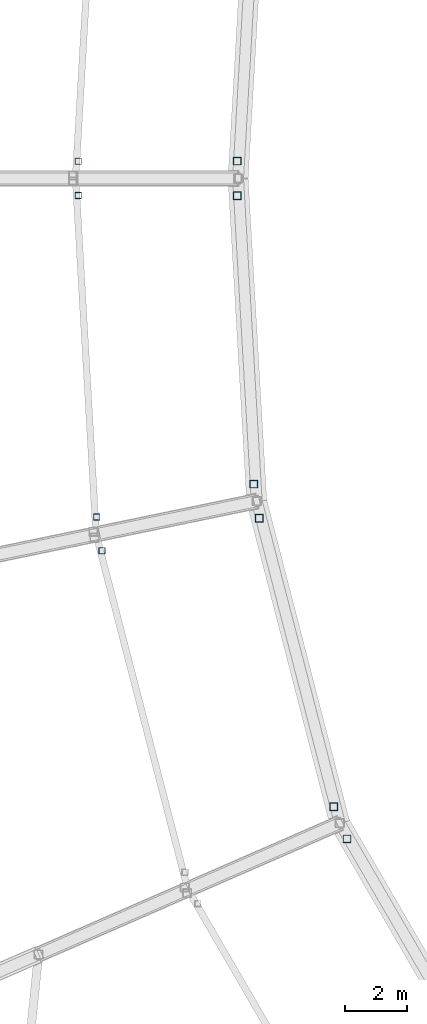
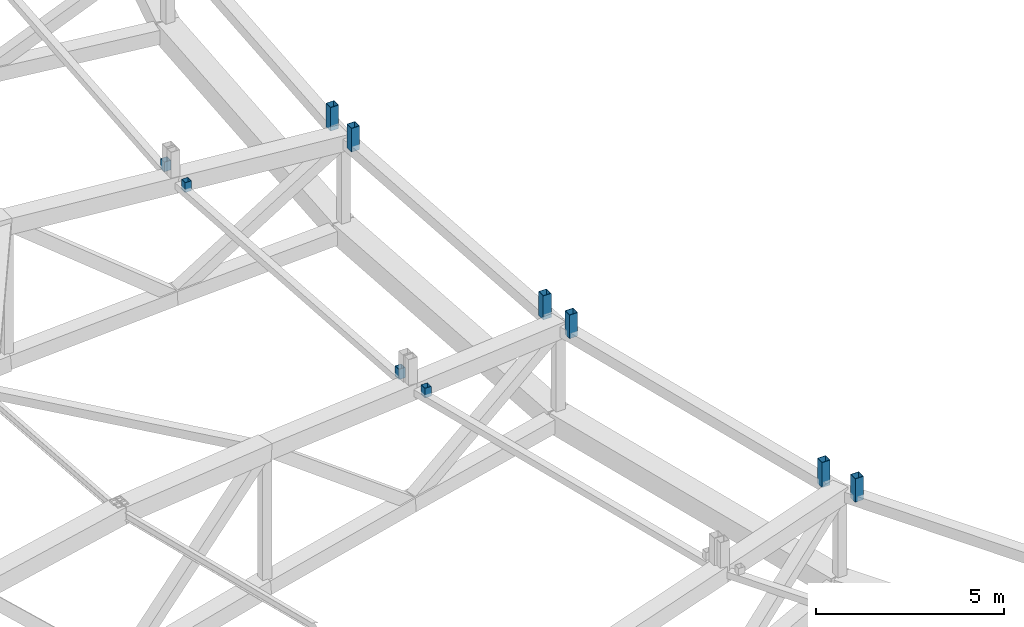
# One storey, part 106 of 162: 10 members.
"""IFC4 building model written with IfcOpenShell, lengths in metres."""

from ifc_helpers import new_model, si_unit, direction, frame, origin, origin_2d, place, context, subcontext, project, spatial, hollow_rectangle, extrude, material, material_profile, profile_set, type_object, element, save


model = new_model("IFC4")

# Units and contexts
model_context = context("Model", 3, precision=1e-05, world=origin(), true_north=direction((0.0, 1.0)))
body_context = subcontext(model_context, "Body", "Model", "MODEL_VIEW")
ifc_project = project(units=[si_unit("LENGTHUNIT", "METRE"), si_unit("AREAUNIT", "SQUARE_METRE"), si_unit("VOLUMEUNIT", "CUBIC_METRE"), si_unit("PLANEANGLEUNIT", "RADIAN"), si_unit("MASSUNIT", "GRAM", prefix="KILO")], contexts=[model_context])

# Site, building, storey
site_placement = place(None, origin())
site = spatial("IfcSite", under=ifc_project, at=site_placement, CompositionType="ELEMENT")
building_placement = place(site_placement, origin())
building = spatial("IfcBuilding", under=site, at=building_placement, Name="Kazemori Nagisa Stadium", CompositionType="ELEMENT")
storey_placement = place(building_placement, frame((0.0, 0.0, 36.719970703125)))
storey = spatial("IfcBuildingStorey", under=building, at=storey_placement, Name="RF", CompositionType="ELEMENT", Elevation=36.719970703125)

# Members
ifc_material = material(Name="Steel STKR490", Category="steel")
ifc_material_profile_1 = material_profile(ifc_material, hollow_rectangle(XDim=0.25, YDim=0.25, WallThickness=0.011962890625, at=origin_2d()), Name="SHS-250x250x12")
ifc_profile_set_1 = profile_set([ifc_material_profile_1], Name="Steel STKR490")
member_type_1 = type_object("IfcMemberType", Name="Member_ST-SHS250", PredefinedType="STUD", material=ifc_profile_set_1)
for number, where, z_axis, x_axis, name in (
    (1, (72.150390625, 102.55810546875, 5.580078125), (0.0, 0.0, 1.0), (1.0, 0.0, 0.0), "Oculus skylight bearing stool B14-2"),
    (2, (72.150390625, 101.44189453125, 5.580078125), (0.0, 0.0, 1.0), (1.0, 0.0, 0.0), "Oculus skylight bearing stool B15-1"),
):
    element("IfcMember", number, at=place(storey_placement, frame(where, z_axis=z_axis, x_axis=x_axis)), inside=storey, type_object=member_type_1, Name=name, PredefinedType="STUD", context=body_context, shape_type="SweptSolid", body=[
        extrude(hollow_rectangle(XDim=0.25, YDim=0.25, WallThickness=0.011962890625, at=origin_2d()), origin(), (0.0, 0.0, 1.0), 0.764892578125),
    ])
member_1_placement = place(storey_placement, frame((72.68310546875, 92.17236328125, 5.56494140625), z_axis=(0.0, 0.0, 1.0), x_axis=(1.0, 0.0, 0.0)))
element("IfcMember", 3, at=member_1_placement, inside=storey, type_object=member_type_1, Name="Oculus skylight bearing stool B15-2", PredefinedType="STUD", context=body_context, shape_type="SweptSolid", body=[
    extrude(hollow_rectangle(XDim=0.25, YDim=0.25, WallThickness=0.011962890625, at=origin_2d()), origin(), (0.0, 0.0, 1.0), 0.780029296875),
])
member_2_placement = place(storey_placement, frame((72.859130859375, 91.069580078125, 5.56494140625), z_axis=(0.0, 0.0, 1.0), x_axis=(1.0, 0.0, 0.0)))
element("IfcMember", 4, at=member_2_placement, inside=storey, type_object=member_type_1, Name="Oculus skylight bearing stool B16-1", PredefinedType="STUD", context=body_context, shape_type="SweptSolid", body=[
    extrude(hollow_rectangle(XDim=0.25, YDim=0.25, WallThickness=0.011962890625, at=origin_2d()), origin(), (0.0, 0.0, 1.0), 0.76416015625),
])
member_3_placement = place(storey_placement, frame((75.25146484375, 81.791748046875, 5.52099609375), z_axis=(0.0, 0.0, 1.0), x_axis=(1.0, 0.0, 0.0)))
element("IfcMember", 5, at=member_3_placement, inside=storey, type_object=member_type_1, Name="Oculus skylight bearing stool B16-2", PredefinedType="STUD", context=body_context, shape_type="SweptSolid", body=[
    extrude(hollow_rectangle(XDim=0.25, YDim=0.25, WallThickness=0.011962890625, at=origin_2d()), origin(), (0.0, 0.0, 1.0), 0.80810546875),
])
member_4_placement = place(storey_placement, frame((75.677490234375, 80.759765625, 5.52099609375), z_axis=(0.0, 0.0, 1.0), x_axis=(1.0, 0.0, 0.0)))
element("IfcMember", 6, at=member_4_placement, inside=storey, type_object=member_type_1, Name="Oculus skylight bearing stool B17-1", PredefinedType="STUD", context=body_context, shape_type="SweptSolid", body=[
    extrude(hollow_rectangle(XDim=0.25, YDim=0.25, WallThickness=0.011962890625, at=origin_2d()), origin(), (0.0, 0.0, 1.0), 0.760009765625),
])
ifc_material_profile_2 = material_profile(ifc_material, hollow_rectangle(XDim=0.199951171875, YDim=0.199951171875, WallThickness=0.009033203125, at=origin_2d()), Name="SHS-200x200x9")
ifc_profile_set_2 = profile_set([ifc_material_profile_2], Name="Steel STKR490")
member_type_2 = type_object("IfcMemberType", Name="Member_TS-SHS200", PredefinedType="STRUT", material=ifc_profile_set_2)
member_5_placement = place(storey_placement, frame((67.0361328125, 102.552978515625, 6.030029296875), z_axis=(0.0, 0.0, 1.0), x_axis=(1.0, 0.0, 0.0)))
element("IfcMember", 7, at=member_5_placement, inside=storey, type_object=member_type_2, Name="Oculus skylight bearing stool B14-3", PredefinedType="STRUT", context=body_context, shape_type="SweptSolid", body=[
    extrude(hollow_rectangle(XDim=0.199951171875, YDim=0.199951171875, WallThickness=0.009033203125, at=origin_2d()), origin(), (0.0, 0.0, 1.0), 0.31494140625),
])
member_6_placement = place(storey_placement, frame((67.63037109375, 91.115478515625, 6.013916015625), z_axis=(0.0, 0.0, 1.0), x_axis=(1.0, 0.0, 0.0)))
element("IfcMember", 8, at=member_6_placement, inside=storey, type_object=member_type_2, Name="Oculus skylight bearing stool B15-3", PredefinedType="STRUT", context=body_context, shape_type="SweptSolid", body=[
    extrude(hollow_rectangle(XDim=0.199951171875, YDim=0.199951171875, WallThickness=0.009033203125, at=origin_2d()), origin(), (0.0, 0.0, 1.0), 0.3310546875),
])
member_7_placement = place(storey_placement, frame((67.0361328125, 101.447021484375, 6.030029296875), z_axis=(0.0, 0.0, 1.0), x_axis=(1.0, 0.0, 0.0)))
element("IfcMember", 9, at=member_7_placement, inside=storey, type_object=member_type_2, Name="Oculus skylight bearing stool B15-4", PredefinedType="STRUT", context=body_context, shape_type="SweptSolid", body=[
    extrude(hollow_rectangle(XDim=0.199951171875, YDim=0.199951171875, WallThickness=0.009033203125, at=origin_2d()), origin(), (0.0, 0.0, 1.0), 0.31494140625),
])
member_8_placement = place(storey_placement, frame((67.80126953125, 90.029052734375, 6.013916015625), z_axis=(0.0, 0.0, 1.0), x_axis=(1.0, 0.0, 0.0)))
element("IfcMember", 10, at=member_8_placement, inside=storey, type_object=member_type_2, Name="Oculus skylight bearing stool B16-4", PredefinedType="STRUT", context=body_context, shape_type="SweptSolid", body=[
    extrude(hollow_rectangle(XDim=0.199951171875, YDim=0.199951171875, WallThickness=0.009033203125, at=origin_2d()), origin(), (0.0, 0.0, 1.0), 0.315185546875),
])

save(model, "model.ifc")
